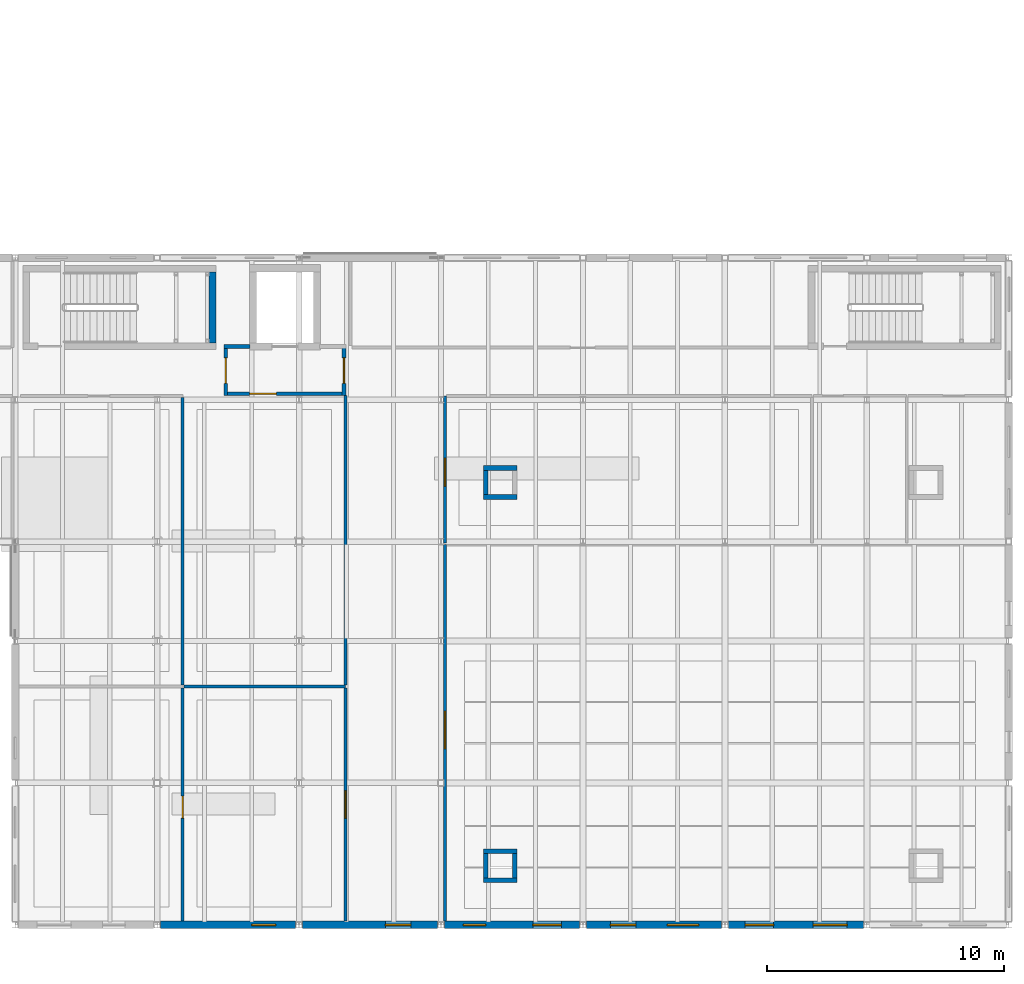
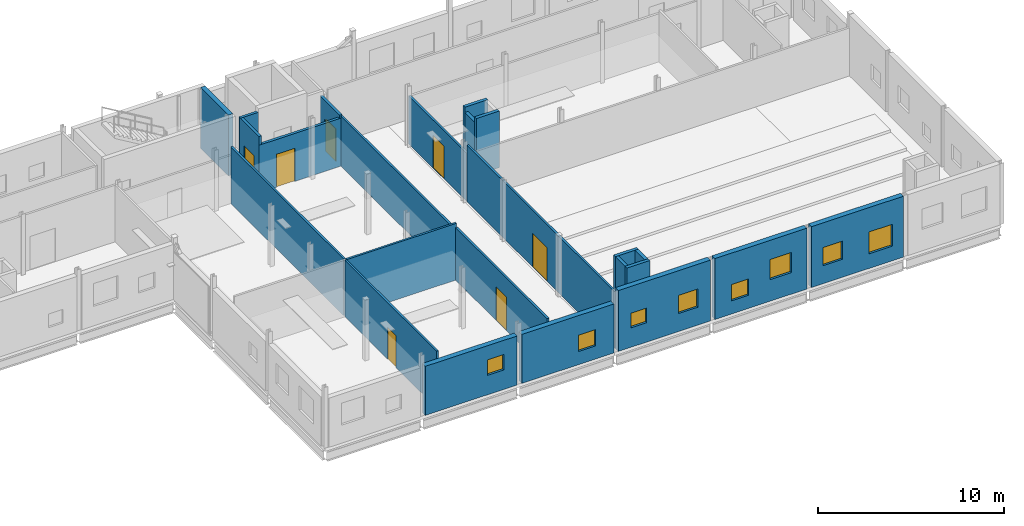
# One storey, part 74 of 92: 24 walls, 8 windows, 7 doors, 15 openings.
"""IFC4 building model written with IfcOpenShell, lengths in metres."""

from ifc_helpers import new_model, si_unit, direction, frame, frame_2d, origin, place, context, subcontext, project, spatial, rectangle, extrude, material, layer, layer_set, type_object, element, fill, save


model = new_model("IFC4")

# Units and contexts
model_context = context("Model", 3, precision=1e-05, world=origin(), true_north=direction((0.0, 1.0)))
body_context = subcontext(model_context, "Body", "Model", "MODEL_VIEW")
ifc_project = project(units=[si_unit("LENGTHUNIT", "METRE"), si_unit("AREAUNIT", "SQUARE_METRE"), si_unit("VOLUMEUNIT", "CUBIC_METRE"), si_unit("PLANEANGLEUNIT", "RADIAN"), si_unit("MASSUNIT", "GRAM", prefix="KILO")], contexts=[model_context])

# Site, building, storey
site_placement = place(None, origin())
site = spatial("IfcSite", under=ifc_project, at=site_placement, CompositionType="ELEMENT")
building_placement = place(site_placement, origin())
building = spatial("IfcBuilding", under=site, at=building_placement, Name="Siltcreek Boulevard Central Fire Station", CompositionType="ELEMENT")
storey_placement = place(building_placement, frame((0.0, 0.0, 6.0)))
storey = spatial("IfcBuildingStorey", under=building, at=storey_placement, Name="L02", CompositionType="ELEMENT", Elevation=6.0)

# Wall
ifc_material_1 = material(Name="Concrete C40/50", Category="concrete")
ifc_layer_1 = layer(ifc_material_1, 0.280029296875, Name="Concrete C40/50")
ifc_layer_set_1 = layer_set([ifc_layer_1], Name="Concrete C40/50")
wall_type_1 = type_object("IfcWallType", Name="CW_SHEAR280", PredefinedType="SHEAR", material=ifc_layer_set_1)
wall_1_placement = place(storey_placement, frame((132.5400390625, 26.39990234375, 0.0), z_axis=(0.0, 0.0, 1.0), x_axis=(0.0, 1.0, 0.0)))
element("IfcWall", 1, at=wall_1_placement, inside=storey, type_object=wall_type_1, Name="L02 ST-V6A stair enclosure east shear wall", PredefinedType="SHEAR", context=body_context, shape_type="SweptSolid", body=[
    extrude(rectangle(XDim=3.0, YDim=0.280029296875, at=frame_2d((1.5, 0.0))), origin(), (0.0, 0.0, 1.0), 4.0),
])

# Wall, opening, window
ifc_material_2 = material(Name="White ribbed aluminum insulated rainscreen panel", Category="aluminium")
ifc_layer_2 = layer(ifc_material_2, 0.320068359375, Name="White ribbed aluminum insulated rainscreen panel")
ifc_layer_set_2 = layer_set([ifc_layer_2], Name="White ribbed aluminum insulated rainscreen panel")
wall_type_2 = type_object("IfcWallType", Name="EW_METAL320", PredefinedType="STANDARD", material=ifc_layer_set_2)
wall_2_placement = place(storey_placement, frame((130.344970703125, 1.800048828125, 0.0), z_axis=(0.0, 0.0, 1.0), x_axis=(1.0, 0.0, 0.0)))
wall_2 = element("IfcWall", 2, at=wall_2_placement, inside=storey, type_object=wall_type_2, Name="L02 V6 exterior insulated rainscreen wall WL-EXT-L02-0458", PredefinedType="STANDARD", context=body_context, shape_type="SweptSolid", body=[
    extrude(rectangle(XDim=5.7099609375, YDim=0.320068359375, at=frame_2d((2.85498046875, 0.0))), origin(), (0.0, 0.0, 1.0), 3.222900390625),
])
opening_1_placement = place(wall_2_placement, frame((3.855224609375, 0.0, 1.280029296875)))
opening_1 = element("IfcOpeningElement", 3, at=opening_1_placement, cuts=wall_2, Name="Opening WN38", PredefinedType="OPENING", context=body_context, shape_type="SweptSolid", body=[
    extrude(rectangle(XDim=1.02001953125, YDim=1.02001953125, at=frame_2d((0.510009765625, 0.510009765625))), frame((0.0, 0.169921875, 0.0), z_axis=(0.0, -1.0, 0.0), x_axis=(1.0, 0.0, 0.0)), (0.0, 0.0, 1.0), 0.340087890625),
])
ifc_material_3 = material(Name="Thermally broken aluminum frame with low-E insulated glass", Category="aluminium")
window_type_1 = type_object("IfcWindowType", Name="WN_SQ_102X102", PartitioningType="SINGLE_PANEL", PredefinedType="WINDOW", material=ifc_material_3)
window_1_placement = place(opening_1_placement, origin())
window_1 = element("IfcWindow", 4, at=window_1_placement, inside=storey, type_object=window_type_1, Name="L02 V6 square exterior window WN-0178", OverallHeight=1.02001953125, OverallWidth=1.02001953125, PartitioningType="SINGLE_PANEL", PredefinedType="WINDOW", context=body_context, shape_type="SweptSolid", body=[
    extrude(rectangle(XDim=1.02001953125, YDim=1.02001953125, at=frame_2d((0.510009765625, 0.510009765625))), frame((0.0, 0.030029296875, 0.0), z_axis=(0.0, -1.0, 0.0), x_axis=(1.0, 0.0, 0.0)), (0.0, 0.0, 1.0), 0.06005859375),
])
fill(opening_1, window_1)

wall_3_placement = place(storey_placement, frame((136.344970703125, 1.800048828125, 0.0), z_axis=(0.0, 0.0, 1.0), x_axis=(1.0, 0.0, 0.0)))
wall_3 = element("IfcWall", 5, at=wall_3_placement, inside=storey, type_object=wall_type_2, Name="L02 V6 exterior insulated rainscreen wall WL-EXT-L02-0459", PredefinedType="STANDARD", context=body_context, shape_type="SweptSolid", body=[
    extrude(rectangle(XDim=5.7099609375, YDim=0.320068359375, at=frame_2d((2.85498046875, 0.0))), origin(), (0.0, 0.0, 1.0), 3.222900390625),
])
opening_2_placement = place(wall_3_placement, frame((3.50439453125, 0.0, 0.860107421875)))
opening_2 = element("IfcOpeningElement", 6, at=opening_2_placement, cuts=wall_3, Name="Opening WN05", PredefinedType="OPENING", context=body_context, shape_type="SweptSolid", body=[
    extrude(rectangle(XDim=1.080078125, YDim=1.080078125, at=frame_2d((0.5400390625, 0.5400390625))), frame((0.0, 0.169921875, 0.0), z_axis=(0.0, -1.0, 0.0), x_axis=(1.0, 0.0, 0.0)), (0.0, 0.0, 1.0), 0.340087890625),
])
window_type_2 = type_object("IfcWindowType", Name="WN_SQ_108X108", PartitioningType="SINGLE_PANEL", PredefinedType="WINDOW", material=ifc_material_3)
window_2_placement = place(opening_2_placement, origin())
window_2 = element("IfcWindow", 7, at=window_2_placement, inside=storey, type_object=window_type_2, Name="L02 V6 square exterior window WN-0179", OverallHeight=1.080078125, OverallWidth=1.080078125, PartitioningType="SINGLE_PANEL", PredefinedType="WINDOW", context=body_context, shape_type="SweptSolid", body=[
    extrude(rectangle(XDim=1.080078125, YDim=1.080078125, at=frame_2d((0.5400390625, 0.5400390625))), frame((0.0, 0.030029296875, 0.0), z_axis=(0.0, -1.0, 0.0), x_axis=(1.0, 0.0, 0.0)), (0.0, 0.0, 1.0), 0.06005859375),
])
fill(opening_2, window_2)

# Wall, openings, windows
wall_4_placement = place(storey_placement, frame((142.344970703125, 1.800048828125, 0.0), z_axis=(0.0, 0.0, 1.0), x_axis=(1.0, 0.0, 0.0)))
wall_4 = element("IfcWall", 8, at=wall_4_placement, inside=storey, type_object=wall_type_2, Name="L02 V6 exterior insulated rainscreen wall WL-EXT-L02-0460", PredefinedType="STANDARD", context=body_context, shape_type="SweptSolid", body=[
    extrude(rectangle(XDim=5.7099609375, YDim=0.320068359375, at=frame_2d((2.85498046875, 0.0))), origin(), (0.0, 0.0, 1.0), 4.0),
])
opening_3_placement = place(wall_4_placement, frame((0.7958984375, 0.0, 1.280029296875)))
opening_3 = element("IfcOpeningElement", 9, at=opening_3_placement, cuts=wall_4, Name="Opening WN06", PredefinedType="OPENING", context=body_context, shape_type="SweptSolid", body=[
    extrude(rectangle(XDim=0.9599609375, YDim=0.9599609375, at=frame_2d((0.47998046875, 0.47998046875))), frame((0.0, 0.169921875, 0.0), z_axis=(0.0, -1.0, 0.0), x_axis=(1.0, 0.0, 0.0)), (0.0, 0.0, 1.0), 0.340087890625),
])
opening_4_placement = place(wall_4_placement, frame((3.73828125, 0.0, 1.179931640625)))
opening_4 = element("IfcOpeningElement", 10, at=opening_4_placement, cuts=wall_4, Name="Opening WN01", PredefinedType="OPENING", context=body_context, shape_type="SweptSolid", body=[
    extrude(rectangle(XDim=1.199951171875, YDim=1.199951171875, at=frame_2d((0.60009765625, 0.60009765625))), frame((0.0, 0.169921875, 0.0), z_axis=(0.0, -1.0, 0.0), x_axis=(1.0, 0.0, 0.0)), (0.0, 0.0, 1.0), 0.340087890625),
])
window_type_3 = type_object("IfcWindowType", Name="WN_SQ_096X096", PartitioningType="SINGLE_PANEL", PredefinedType="WINDOW", material=ifc_material_3)
window_3_placement = place(opening_3_placement, origin())
window_3 = element("IfcWindow", 11, at=window_3_placement, inside=storey, type_object=window_type_3, Name="L02 V6 square exterior window WN-0180", OverallHeight=0.9599609375, OverallWidth=0.9599609375, PartitioningType="SINGLE_PANEL", PredefinedType="WINDOW", context=body_context, shape_type="SweptSolid", body=[
    extrude(rectangle(XDim=0.9599609375, YDim=0.9599609375, at=frame_2d((0.47998046875, 0.47998046875))), frame((0.0, 0.030029296875, 0.0), z_axis=(0.0, -1.0, 0.0), x_axis=(1.0, 0.0, 0.0)), (0.0, 0.0, 1.0), 0.06005859375),
])
fill(opening_3, window_3)
window_type_4 = type_object("IfcWindowType", Name="WN_SQ_120X120", PartitioningType="SINGLE_PANEL", PredefinedType="WINDOW", material=ifc_material_3)
window_4_placement = place(opening_4_placement, origin())
window_4 = element("IfcWindow", 12, at=window_4_placement, inside=storey, type_object=window_type_4, Name="L02 V6 square exterior window WN-0181", OverallHeight=1.199951171875, OverallWidth=1.199951171875, PartitioningType="SINGLE_PANEL", PredefinedType="WINDOW", context=body_context, shape_type="SweptSolid", body=[
    extrude(rectangle(XDim=1.199951171875, YDim=1.199951171875, at=frame_2d((0.60009765625, 0.60009765625))), frame((0.0, 0.030029296875, 0.0), z_axis=(0.0, -1.0, 0.0), x_axis=(1.0, 0.0, 0.0)), (0.0, 0.0, 1.0), 0.06005859375),
])
fill(opening_4, window_4)

wall_5_placement = place(storey_placement, frame((148.344970703125, 1.800048828125, 0.0), z_axis=(0.0, 0.0, 1.0), x_axis=(1.0, 0.0, 0.0)))
wall_5 = element("IfcWall", 13, at=wall_5_placement, inside=storey, type_object=wall_type_2, Name="L02 V6 exterior insulated rainscreen wall WL-EXT-L02-0461", PredefinedType="STANDARD", context=body_context, shape_type="SweptSolid", body=[
    extrude(rectangle(XDim=5.7099609375, YDim=0.320068359375, at=frame_2d((2.85498046875, 0.0))), origin(), (0.0, 0.0, 1.0), 4.0),
])
opening_5_placement = place(wall_5_placement, frame((1.014404296875, 0.0, 0.860107421875)))
opening_5 = element("IfcOpeningElement", 14, at=opening_5_placement, cuts=wall_5, Name="Opening WN05", PredefinedType="OPENING", context=body_context, shape_type="SweptSolid", body=[
    extrude(rectangle(XDim=1.080078125, YDim=1.080078125, at=frame_2d((0.5400390625, 0.5400390625))), frame((0.0, 0.169921875, 0.0), z_axis=(0.0, -1.0, 0.0), x_axis=(1.0, 0.0, 0.0)), (0.0, 0.0, 1.0), 0.340087890625),
])
opening_6_placement = place(wall_5_placement, frame((3.42041015625, 0.0, 1.419921875)))
opening_6 = element("IfcOpeningElement", 15, at=opening_6_placement, cuts=wall_5, Name="Opening WN02", PredefinedType="OPENING", context=body_context, shape_type="SweptSolid", body=[
    extrude(rectangle(XDim=1.320068359375, YDim=1.320068359375, at=frame_2d((0.66015625, 0.66015625))), frame((0.0, 0.169921875, 0.0), z_axis=(0.0, -1.0, 0.0), x_axis=(1.0, 0.0, 0.0)), (0.0, 0.0, 1.0), 0.340087890625),
])
window_5_placement = place(opening_5_placement, origin())
window_5 = element("IfcWindow", 16, at=window_5_placement, inside=storey, type_object=window_type_2, Name="L02 V6 square exterior window WN-0182", OverallHeight=1.080078125, OverallWidth=1.080078125, PartitioningType="SINGLE_PANEL", PredefinedType="WINDOW", context=body_context, shape_type="SweptSolid", body=[
    extrude(rectangle(XDim=1.080078125, YDim=1.080078125, at=frame_2d((0.5400390625, 0.5400390625))), frame((0.0, 0.030029296875, 0.0), z_axis=(0.0, -1.0, 0.0), x_axis=(1.0, 0.0, 0.0)), (0.0, 0.0, 1.0), 0.06005859375),
])
fill(opening_5, window_5)
window_type_5 = type_object("IfcWindowType", Name="WN_SQ_132X132", PartitioningType="SINGLE_PANEL", PredefinedType="WINDOW", material=ifc_material_3)
window_6_placement = place(opening_6_placement, origin())
window_6 = element("IfcWindow", 17, at=window_6_placement, inside=storey, type_object=window_type_5, Name="L02 V6 square exterior window WN-0183", OverallHeight=1.320068359375, OverallWidth=1.320068359375, PartitioningType="SINGLE_PANEL", PredefinedType="WINDOW", context=body_context, shape_type="SweptSolid", body=[
    extrude(rectangle(XDim=1.320068359375, YDim=1.320068359375, at=frame_2d((0.66015625, 0.66015625))), frame((0.0, 0.030029296875, 0.0), z_axis=(0.0, -1.0, 0.0), x_axis=(1.0, 0.0, 0.0)), (0.0, 0.0, 1.0), 0.06005859375),
])
fill(opening_6, window_6)

wall_6_placement = place(storey_placement, frame((154.344970703125, 1.800048828125, 0.0), z_axis=(0.0, 0.0, 1.0), x_axis=(1.0, 0.0, 0.0)))
wall_6 = element("IfcWall", 18, at=wall_6_placement, inside=storey, type_object=wall_type_2, Name="L02 V6 exterior insulated rainscreen wall WL-EXT-L02-0462", PredefinedType="STANDARD", context=body_context, shape_type="SweptSolid", body=[
    extrude(rectangle(XDim=5.7099609375, YDim=0.320068359375, at=frame_2d((2.85498046875, 0.0))), origin(), (0.0, 0.0, 1.0), 4.0),
])
opening_7_placement = place(wall_6_placement, frame((0.7119140625, 0.0, 1.179931640625)))
opening_7 = element("IfcOpeningElement", 19, at=opening_7_placement, cuts=wall_6, Name="Opening WN01", PredefinedType="OPENING", context=body_context, shape_type="SweptSolid", body=[
    extrude(rectangle(XDim=1.199951171875, YDim=1.199951171875, at=frame_2d((0.60009765625, 0.60009765625))), frame((0.0, 0.169921875, 0.0), z_axis=(0.0, -1.0, 0.0), x_axis=(1.0, 0.0, 0.0)), (0.0, 0.0, 1.0), 0.340087890625),
])
opening_8_placement = place(wall_6_placement, frame((3.582275390625, 0.0, 0.9599609375)))
opening_8 = element("IfcOpeningElement", 20, at=opening_8_placement, cuts=wall_6, Name="Opening WN03", PredefinedType="OPENING", context=body_context, shape_type="SweptSolid", body=[
    extrude(rectangle(XDim=1.43994140625, YDim=1.43994140625, at=frame_2d((0.719970703125, 0.719970703125))), frame((0.0, 0.169921875, 0.0), z_axis=(0.0, -1.0, 0.0), x_axis=(1.0, 0.0, 0.0)), (0.0, 0.0, 1.0), 0.340087890625),
])
window_7_placement = place(opening_7_placement, origin())
window_7 = element("IfcWindow", 21, at=window_7_placement, inside=storey, type_object=window_type_4, Name="L02 V6 square exterior window WN-0184", OverallHeight=1.199951171875, OverallWidth=1.199951171875, PartitioningType="SINGLE_PANEL", PredefinedType="WINDOW", context=body_context, shape_type="SweptSolid", body=[
    extrude(rectangle(XDim=1.199951171875, YDim=1.199951171875, at=frame_2d((0.60009765625, 0.60009765625))), frame((0.0, 0.030029296875, 0.0), z_axis=(0.0, -1.0, 0.0), x_axis=(1.0, 0.0, 0.0)), (0.0, 0.0, 1.0), 0.06005859375),
])
fill(opening_7, window_7)
window_type_6 = type_object("IfcWindowType", Name="WN_SQ_144X144", PartitioningType="SINGLE_PANEL", PredefinedType="WINDOW", material=ifc_material_3)
window_8_placement = place(opening_8_placement, origin())
window_8 = element("IfcWindow", 22, at=window_8_placement, inside=storey, type_object=window_type_6, Name="L02 V6 square exterior window WN-0185", OverallHeight=1.43994140625, OverallWidth=1.43994140625, PartitioningType="SINGLE_PANEL", PredefinedType="WINDOW", context=body_context, shape_type="SweptSolid", body=[
    extrude(rectangle(XDim=1.43994140625, YDim=1.43994140625, at=frame_2d((0.719970703125, 0.719970703125))), frame((0.0, 0.030029296875, 0.0), z_axis=(0.0, -1.0, 0.0), x_axis=(1.0, 0.0, 0.0)), (0.0, 0.0, 1.0), 0.06005859375),
])
fill(opening_8, window_8)

# Walls
ifc_material_4 = material(Name="Fire-rated concrete masonry and gypsum barrier", Category="masonry")
ifc_layer_3 = layer(ifc_material_4, 0.199951171875, Name="Fire-rated concrete masonry and gypsum barrier")
ifc_layer_set_3 = layer_set([ifc_layer_3], Name="Fire-rated concrete masonry and gypsum barrier")
wall_type_3 = type_object("IfcWallType", Name="IW_FIRE200", PredefinedType="PARTITIONING", material=ifc_layer_set_3)
wall_7_placement = place(storey_placement, frame((143.985107421875, 3.68505859375, 0.0), z_axis=(0.0, 0.0, 1.0), x_axis=(1.0, 0.0, 0.0)))
element("IfcWall", 23, at=wall_7_placement, inside=storey, type_object=wall_type_3, Name="L02 enclosed MEP service riser wall 020-S", PredefinedType="PARTITIONING", context=body_context, shape_type="SweptSolid", body=[
    extrude(rectangle(XDim=1.429931640625, YDim=0.199951171875, at=frame_2d((0.71484375, 0.0))), origin(), (0.0, 0.0, 1.0), 3.719970703125),
])
wall_8_placement = place(storey_placement, frame((145.31494140625, 3.784912109375, 0.0), z_axis=(0.0, 0.0, 1.0), x_axis=(0.0, 1.0, 0.0)))
element("IfcWall", 24, at=wall_8_placement, inside=storey, type_object=wall_type_3, Name="L02 enclosed MEP service riser wall 020-E", PredefinedType="PARTITIONING", context=body_context, shape_type="SweptSolid", body=[
    extrude(rectangle(XDim=1.030029296875, YDim=0.199951171875, at=frame_2d((0.51513671875, 0.0))), origin(), (0.0, 0.0, 1.0), 3.719970703125),
])
wall_9_placement = place(storey_placement, frame((145.4150390625, 4.9150390625, 0.0), z_axis=(0.0, 0.0, 1.0), x_axis=(-1.0, 0.0, 0.0)))
element("IfcWall", 25, at=wall_9_placement, inside=storey, type_object=wall_type_3, Name="L02 enclosed MEP service riser wall 020-N", PredefinedType="PARTITIONING", context=body_context, shape_type="SweptSolid", body=[
    extrude(rectangle(XDim=1.429931640625, YDim=0.199951171875, at=frame_2d((0.71484375, 0.0))), origin(), (0.0, 0.0, 1.0), 3.719970703125),
])
wall_10_placement = place(storey_placement, frame((144.0849609375, 4.81494140625, 0.0), z_axis=(0.0, 0.0, 1.0), x_axis=(0.0, -1.0, 0.0)))
element("IfcWall", 26, at=wall_10_placement, inside=storey, type_object=wall_type_3, Name="L02 enclosed MEP service riser wall 020-W", PredefinedType="PARTITIONING", context=body_context, shape_type="SweptSolid", body=[
    extrude(rectangle(XDim=1.030029296875, YDim=0.199951171875, at=frame_2d((0.51513671875, 0.0))), origin(), (0.0, 0.0, 1.0), 3.719970703125),
])
for number, where, z_axis, x_axis, name in (
    (27, (143.985107421875, 19.885009765625, 0.0), (0.0, 0.0, 1.0), (1.0, 0.0, 0.0), "L02 enclosed MEP service riser wall 021-S"),
    (28, (145.4150390625, 21.114990234375, 0.0), (0.0, 0.0, 1.0), (-1.0, 0.0, 0.0), "L02 enclosed MEP service riser wall 021-N"),
):
    element("IfcWall", number, at=place(storey_placement, frame(where, z_axis=z_axis, x_axis=x_axis)), inside=storey, type_object=wall_type_3, Name=name, PredefinedType="PARTITIONING", context=body_context, shape_type="SweptSolid", body=[
        extrude(rectangle(XDim=1.429931640625, YDim=0.199951171875, at=frame_2d((0.71484375, 0.0))), origin(), (0.0, 0.0, 1.0), 3.719970703125),
    ])
wall_11_placement = place(storey_placement, frame((144.0849609375, 21.014892578125, 0.0), z_axis=(0.0, 0.0, 1.0), x_axis=(0.0, -1.0, 0.0)))
element("IfcWall", 29, at=wall_11_placement, inside=storey, type_object=wall_type_3, Name="L02 enclosed MEP service riser wall 021-W", PredefinedType="PARTITIONING", context=body_context, shape_type="SweptSolid", body=[
    extrude(rectangle(XDim=1.02978515625, YDim=0.199951171875, at=frame_2d((0.514892578125, 0.0))), origin(), (0.0, 0.0, 1.0), 3.37890625),
])

# Wall, opening, door
ifc_material_5 = material(Name="Interior steel stud gypsum partition", Category="steel")
ifc_layer_4 = layer(ifc_material_5, 0.125, Name="Interior steel stud gypsum partition")
ifc_layer_set_4 = layer_set([ifc_layer_4], Name="Interior steel stud gypsum partition")
wall_type_4 = type_object("IfcWallType", Name="IW_PART125", PredefinedType="PARTITIONING", material=ifc_layer_set_4)
wall_12_placement = place(storey_placement, frame((142.3701171875, 1.9599609375, 0.0), z_axis=(0.0, 0.0, 1.0), x_axis=(0.0, 1.0, 0.0)))
wall_12 = element("IfcWall", 30, at=wall_12_placement, inside=storey, type_object=wall_type_4, Name="L02 Lecture Theatre partition 0186", PredefinedType="PARTITIONING", context=body_context, shape_type="SweptSolid", body=[
    extrude(rectangle(XDim=15.922607421875, YDim=0.125, at=frame_2d((7.96142578125, 0.0))), origin(), (0.0, 0.0, 1.0), 3.719970703125),
])
opening_9_placement = place(wall_12_placement, frame((7.282470703125, 0.0, 0.0)))
opening_9 = element("IfcOpeningElement", 31, at=opening_9_placement, cuts=wall_12, Name="Opening AD02", PredefinedType="OPENING", context=body_context, shape_type="SweptSolid", body=[
    extrude(rectangle(XDim=1.580078125, YDim=2.199951171875, at=frame_2d((0.7900390625, 1.10009765625))), frame((0.0, 0.072509765625, 0.0), z_axis=(0.0, -1.0, 0.0), x_axis=(1.0, 0.0, 0.0)), (0.0, 0.0, 1.0), 0.14501953125),
])
ifc_material_6 = material(Name="Glazed acoustic assembly hall double door")
door_type_1 = type_object("IfcDoorType", Name="DR_HAL_158X220", OperationType="NOTDEFINED", PredefinedType="DOOR", material=ifc_material_6)
door_1_placement = place(opening_9_placement, origin())
door_1 = element("IfcDoor", 32, at=door_1_placement, inside=storey, type_object=door_type_1, Name="L02 Lecture Theatre door ID-0084", OperationType="DOUBLE_DOOR_SINGLE_SWING", OverallHeight=2.199951171875, OverallWidth=1.580078125, PredefinedType="DOOR", context=body_context, shape_type="SweptSolid", body=[
    extrude(rectangle(XDim=1.580078125, YDim=2.199951171875, at=frame_2d((0.7900390625, 1.10009765625))), frame((0.0, 0.02490234375, 0.0), z_axis=(0.0, -1.0, 0.0), x_axis=(1.0, 0.0, 0.0)), (0.0, 0.0, 1.0), 0.050048828125),
])
fill(opening_9, door_1)

wall_13_placement = place(storey_placement, frame((131.280029296875, 11.8173828125, 0.0), z_axis=(0.0, 0.0, 1.0), x_axis=(0.0, -1.0, 0.0)))
wall_13 = element("IfcWall", 33, at=wall_13_placement, inside=storey, type_object=wall_type_4, Name="L02 Training Classroom 201 partition 0189", PredefinedType="PARTITIONING", context=body_context, shape_type="SweptSolid", body=[
    extrude(rectangle(XDim=9.857421875, YDim=0.125, at=frame_2d((4.9287109375, 0.0))), origin(), (0.0, 0.0, 1.0), 3.719970703125),
])
opening_10_placement = place(wall_13_placement, frame((4.57421875, 0.0, 0.0)))
opening_10 = element("IfcOpeningElement", 34, at=opening_10_placement, cuts=wall_13, Name="Opening ID03", PredefinedType="OPENING", context=body_context, shape_type="SweptSolid", body=[
    extrude(rectangle(XDim=0.929931640625, YDim=2.10009765625, at=frame_2d((0.46484375, 1.050048828125))), frame((0.0, 0.072509765625, 0.0), z_axis=(0.0, -1.0, 0.0), x_axis=(1.0, 0.0, 0.0)), (0.0, 0.0, 1.0), 0.14501953125),
])
ifc_material_7 = material(Name="Solid-core timber station office door", Category="wood")
door_type_2 = type_object("IfcDoorType", Name="DR_OFF_093X210", OperationType="NOTDEFINED", PredefinedType="DOOR", material=ifc_material_7)
door_2_placement = place(opening_10_placement, frame((0.929931640625, 0.0, 0.0), z_axis=(0.0, 0.0, 1.0), x_axis=(-1.0, 0.0, 0.0)))
door_2 = element("IfcDoor", 35, at=door_2_placement, inside=storey, type_object=door_type_2, Name="L02 Training Classroom 201 door ID-0085", OperationType="SINGLE_SWING_RIGHT", OverallHeight=2.10009765625, OverallWidth=0.929931640625, PredefinedType="DOOR", context=body_context, shape_type="SweptSolid", body=[
    extrude(rectangle(XDim=0.929931640625, YDim=2.10009765625, at=frame_2d((0.46484375, 1.050048828125))), frame((0.0, 0.02490234375, 0.0), z_axis=(0.0, -1.0, 0.0), x_axis=(1.0, 0.0, 0.0)), (0.0, 0.0, 1.0), 0.050048828125),
])
fill(opening_10, door_2)

# Wall
wall_14_placement = place(storey_placement, frame((131.342529296875, 11.8798828125, 0.0), z_axis=(0.0, 0.0, 1.0), x_axis=(1.0, 0.0, 0.0)))
element("IfcWall", 36, at=wall_14_placement, inside=storey, type_object=wall_type_4, Name="L02 Training Classroom 202 partition 0190", PredefinedType="PARTITIONING", context=body_context, shape_type="SweptSolid", body=[
    extrude(rectangle(XDim=6.820068359375, YDim=0.125, at=frame_2d((3.41015625, 0.0))), origin(), (0.0, 0.0, 1.0), 3.719970703125),
])

# Wall, opening, door
wall_15_placement = place(storey_placement, frame((138.159912109375, 11.8173828125, 0.0), z_axis=(0.0, 0.0, 1.0), x_axis=(0.0, -1.0, 0.0)))
wall_15 = element("IfcWall", 37, at=wall_15_placement, inside=storey, type_object=wall_type_4, Name="L02 Training Classroom 202 partition 0191", PredefinedType="PARTITIONING", context=body_context, shape_type="SweptSolid", body=[
    extrude(rectangle(XDim=9.857421875, YDim=0.125, at=frame_2d((4.9287109375, 0.0))), origin(), (0.0, 0.0, 1.0), 3.448974609375),
])
opening_11_placement = place(wall_15_placement, frame((4.348876953125, 0.0, 0.0)))
opening_11 = element("IfcOpeningElement", 38, at=opening_11_placement, cuts=wall_15, Name="Opening ID06", PredefinedType="OPENING", context=body_context, shape_type="SweptSolid", body=[
    extrude(rectangle(XDim=1.159912109375, YDim=2.199951171875, at=frame_2d((0.580078125, 1.10009765625))), frame((0.0, 0.072509765625, 0.0), z_axis=(0.0, -1.0, 0.0), x_axis=(1.0, 0.0, 0.0)), (0.0, 0.0, 1.0), 0.14501953125),
])
ifc_material_8 = material(Name="Glazed simulation laboratory door")
door_type_3 = type_object("IfcDoorType", Name="DR_LAB_116X220", OperationType="NOTDEFINED", PredefinedType="DOOR", material=ifc_material_8)
door_3_placement = place(opening_11_placement, frame((1.159912109375, 0.0, 0.0), z_axis=(0.0, 0.0, 1.0), x_axis=(-1.0, 0.0, 0.0)))
door_3 = element("IfcDoor", 39, at=door_3_placement, inside=storey, type_object=door_type_3, Name="L02 Training Classroom 202 door ID-0086", OperationType="SINGLE_SWING_LEFT", OverallHeight=2.199951171875, OverallWidth=1.159912109375, PredefinedType="DOOR", context=body_context, shape_type="SweptSolid", body=[
    extrude(rectangle(XDim=1.159912109375, YDim=2.199951171875, at=frame_2d((0.580078125, 1.10009765625))), frame((0.0, 0.02490234375, 0.0), z_axis=(0.0, -1.0, 0.0), x_axis=(1.0, 0.0, 0.0)), (0.0, 0.0, 1.0), 0.050048828125),
])
fill(opening_11, door_3)

# Walls
wall_16_placement = place(storey_placement, frame((131.280029296875, 24.097412109375, 0.0), z_axis=(0.0, 0.0, 1.0), x_axis=(0.0, -1.0, 0.0)))
element("IfcWall", 40, at=wall_16_placement, inside=storey, type_object=wall_type_4, Name="L02 Training Classroom 203 partition 0193", PredefinedType="PARTITIONING", context=body_context, shape_type="SweptSolid", body=[
    extrude(rectangle(XDim=12.155029296875, YDim=0.125, at=frame_2d((6.07763671875, 0.0))), origin(), (0.0, 0.0, 1.0), 3.719970703125),
])
wall_17_placement = place(storey_placement, frame((138.159912109375, 24.16748046875, 0.0), z_axis=(0.0, 0.0, 1.0), x_axis=(0.0, -1.0, 0.0)))
element("IfcWall", 41, at=wall_17_placement, inside=storey, type_object=wall_type_4, Name="L02 Training Classroom 204 partition 0194", PredefinedType="PARTITIONING", context=body_context, shape_type="SweptSolid", body=[
    extrude(rectangle(XDim=12.22509765625, YDim=0.125, at=frame_2d((6.112548828125, 0.0))), origin(), (0.0, 0.0, 1.0), 3.2890625),
])

# Wall, opening, door
wall_18_placement = place(storey_placement, frame((142.3701171875, 17.9423828125, 0.0), z_axis=(0.0, 0.0, 1.0), x_axis=(0.0, 1.0, 0.0)))
wall_18 = element("IfcWall", 42, at=wall_18_placement, inside=storey, type_object=wall_type_4, Name="L02 Training Classroom 205 partition 0195", PredefinedType="PARTITIONING", context=body_context, shape_type="SweptSolid", body=[
    extrude(rectangle(XDim=6.22021484375, YDim=0.125, at=frame_2d((3.110107421875, 0.0))), origin(), (0.0, 0.0, 1.0), 3.156982421875),
])
opening_12_placement = place(wall_18_placement, frame((2.40771484375, 0.0, 0.0)))
opening_12 = element("IfcOpeningElement", 43, at=opening_12_placement, cuts=wall_18, Name="Opening ID13", PredefinedType="OPENING", context=body_context, shape_type="SweptSolid", body=[
    extrude(rectangle(XDim=1.179931640625, YDim=2.159912109375, at=frame_2d((0.58984375, 1.080078125))), frame((0.0, 0.072509765625, 0.0), z_axis=(0.0, -1.0, 0.0), x_axis=(1.0, 0.0, 0.0)), (0.0, 0.0, 1.0), 0.14501953125),
])
ifc_material_9 = material(Name="Antimicrobial walk-in triage door")
door_type_4 = type_object("IfcDoorType", Name="DR_MED_118X216", OperationType="NOTDEFINED", PredefinedType="DOOR", material=ifc_material_9)
door_4_placement = place(opening_12_placement, frame((1.179931640625, 0.0, 0.0), z_axis=(0.0, 0.0, 1.0), x_axis=(-1.0, 0.0, 0.0)))
door_4 = element("IfcDoor", 44, at=door_4_placement, inside=storey, type_object=door_type_4, Name="L02 Training Classroom 205 door ID-0089", OperationType="SINGLE_SWING_RIGHT", OverallHeight=2.159912109375, OverallWidth=1.179931640625, PredefinedType="DOOR", context=body_context, shape_type="SweptSolid", body=[
    extrude(rectangle(XDim=1.179931640625, YDim=2.159912109375, at=frame_2d((0.58984375, 1.080078125))), frame((0.0, 0.02490234375, 0.0), z_axis=(0.0, -1.0, 0.0), x_axis=(1.0, 0.0, 0.0)), (0.0, 0.0, 1.0), 0.050048828125),
])
fill(opening_12, door_4)

ifc_material_10 = material(Name="Acoustic smoke-barrier steel stud gypsum wall", Category="steel")
ifc_layer_5 = layer(ifc_material_10, 0.1650390625, Name="Acoustic smoke-barrier steel stud gypsum wall")
ifc_layer_set_5 = layer_set([ifc_layer_5], Name="Acoustic smoke-barrier steel stud gypsum wall")
wall_type_5 = type_object("IfcWallType", Name="IW_SMK165", PredefinedType="PARTITIONING", material=ifc_layer_set_5)
wall_19_placement = place(storey_placement, frame((133.02001953125, 24.25, 0.0), z_axis=(0.0, 0.0, 1.0), x_axis=(1.0, 0.0, 0.0)))
wall_19 = element("IfcWall", 45, at=wall_19_placement, inside=storey, type_object=wall_type_5, Name="L02 EL-05 elevator lobby S smoke partition", PredefinedType="PARTITIONING", context=body_context, shape_type="SweptSolid", body=[
    extrude(rectangle(XDim=5.159912109375, YDim=0.1650390625, at=frame_2d((2.580078125, 0.0))), origin(), (0.0, 0.0, 1.0), 3.153076171875),
])
opening_13_placement = place(wall_19_placement, frame((1.08740234375, 0.0, 0.0)))
opening_13 = element("IfcOpeningElement", 46, at=opening_13_placement, cuts=wall_19, Name="Opening ID07", PredefinedType="OPENING", context=body_context, shape_type="SweptSolid", body=[
    extrude(rectangle(XDim=1.1298828125, YDim=2.179931640625, at=frame_2d((0.56494140625, 1.08984375))), frame((0.0, 0.092529296875, 0.0), z_axis=(0.0, -1.0, 0.0), x_axis=(1.0, 0.0, 0.0)), (0.0, 0.0, 1.0), 0.18505859375),
])
ifc_material_11 = material(Name="Galvanized steel drill training prop door", Category="steel")
door_type_5 = type_object("IfcDoorType", Name="DR_DRL_113X218", OperationType="NOTDEFINED", PredefinedType="DOOR", material=ifc_material_11)
door_5_placement = place(opening_13_placement, frame((1.1298828125, 0.0, 0.0), z_axis=(0.0, 0.0, 1.0), x_axis=(-1.0, 0.0, 0.0)))
door_5 = element("IfcDoor", 47, at=door_5_placement, inside=storey, type_object=door_type_5, Name="L02 Training Classroom 204 door ID-0088", OperationType="SINGLE_SWING_LEFT", OverallHeight=2.179931640625, OverallWidth=1.1298828125, PredefinedType="DOOR", context=body_context, shape_type="SweptSolid", body=[
    extrude(rectangle(XDim=1.1298828125, YDim=2.179931640625, at=frame_2d((0.56494140625, 1.08984375))), frame((0.0, 0.02490234375, 0.0), z_axis=(0.0, -1.0, 0.0), x_axis=(1.0, 0.0, 0.0)), (0.0, 0.0, 1.0), 0.050048828125),
])
fill(opening_13, door_5)

# Wall
wall_20_placement = place(storey_placement, frame((133.02001953125, 26.24755859375, 0.0), z_axis=(0.0, 0.0, 1.0), x_axis=(1.0, 0.0, 0.0)))
element("IfcWall", 48, at=wall_20_placement, inside=storey, type_object=wall_type_5, Name="L02 EL-05 elevator lobby NW smoke partition", PredefinedType="PARTITIONING", context=body_context, shape_type="SweptSolid", body=[
    extrude(rectangle(XDim=1.114990234375, YDim=0.1650390625, at=frame_2d((0.5576171875, 0.0))), origin(), (0.0, 0.0, 1.0), 3.719970703125),
])

# Wall, opening, door
wall_21_placement = place(storey_placement, frame((133.10009765625, 24.169921875, 0.0), z_axis=(0.0, 0.0, 1.0), x_axis=(0.0, 1.0, 0.0)))
wall_21 = element("IfcWall", 49, at=wall_21_placement, inside=storey, type_object=wall_type_5, Name="L02 EL-05 elevator lobby W smoke partition", PredefinedType="PARTITIONING", context=body_context, shape_type="SweptSolid", body=[
    extrude(rectangle(XDim=2.11767578125, YDim=0.1650390625, at=frame_2d((1.058837890625, 0.0))), origin(), (0.0, 0.0, 1.0), 3.719970703125),
])
opening_14_placement = place(wall_21_placement, frame((0.518798828125, 0.0, 0.0)))
opening_14 = element("IfcOpeningElement", 50, at=opening_14_placement, cuts=wall_21, Name="Opening DD01", PredefinedType="OPENING", context=body_context, shape_type="SweptSolid", body=[
    extrude(rectangle(XDim=1.080078125, YDim=2.139892578125, at=frame_2d((0.5400390625, 1.06982421875))), frame((0.0, 0.092529296875, 0.0), z_axis=(0.0, -1.0, 0.0), x_axis=(1.0, 0.0, 0.0)), (0.0, 0.0, 1.0), 0.18505859375),
])
ifc_material_12 = material(Name="Stainless steel positive-pressure decon airlock door", Category="steel")
door_type_6 = type_object("IfcDoorType", Name="DR_DEC_108X214", OperationType="NOTDEFINED", PredefinedType="DOOR", material=ifc_material_12)
door_6_placement = place(opening_14_placement, frame((1.080078125, 0.0, 0.0), z_axis=(0.0, 0.0, 1.0), x_axis=(-1.0, 0.0, 0.0)))
door_6 = element("IfcDoor", 51, at=door_6_placement, inside=storey, type_object=door_type_6, Name="L02 EL-05 elevator lobby W smoke door", OperationType="SINGLE_SWING_LEFT", OverallHeight=2.139892578125, OverallWidth=1.080078125, PredefinedType="DOOR", context=body_context, shape_type="SweptSolid", body=[
    extrude(rectangle(XDim=1.080078125, YDim=2.139892578125, at=frame_2d((0.5400390625, 1.06982421875))), frame((0.0, 0.02490234375, 0.0), z_axis=(0.0, -1.0, 0.0), x_axis=(1.0, 0.0, 0.0)), (0.0, 0.0, 1.0), 0.050048828125),
])
fill(opening_14, door_6)

wall_22_placement = place(storey_placement, frame((138.10009765625, 24.169921875, 0.0), z_axis=(0.0, 0.0, 1.0), x_axis=(0.0, 1.0, 0.0)))
wall_22 = element("IfcWall", 52, at=wall_22_placement, inside=storey, type_object=wall_type_5, Name="L02 EL-05 elevator lobby E smoke partition", PredefinedType="PARTITIONING", context=body_context, shape_type="SweptSolid", body=[
    extrude(rectangle(XDim=2.11767578125, YDim=0.1650390625, at=frame_2d((1.058837890625, 0.0))), origin(), (0.0, 0.0, 1.0), 3.37890625),
])
opening_15_placement = place(wall_22_placement, frame((0.518798828125, 0.0, 0.0)))
opening_15 = element("IfcOpeningElement", 53, at=opening_15_placement, cuts=wall_22, Name="Opening DD01", PredefinedType="OPENING", context=body_context, shape_type="SweptSolid", body=[
    extrude(rectangle(XDim=1.080078125, YDim=2.139892578125, at=frame_2d((0.5400390625, 1.06982421875))), frame((0.0, 0.092529296875, 0.0), z_axis=(0.0, -1.0, 0.0), x_axis=(1.0, 0.0, 0.0)), (0.0, 0.0, 1.0), 0.18505859375),
])
door_7_placement = place(opening_15_placement, origin())
door_7 = element("IfcDoor", 54, at=door_7_placement, inside=storey, type_object=door_type_6, Name="L02 EL-05 elevator lobby E smoke door", OperationType="SINGLE_SWING_RIGHT", OverallHeight=2.139892578125, OverallWidth=1.080078125, PredefinedType="DOOR", context=body_context, shape_type="SweptSolid", body=[
    extrude(rectangle(XDim=1.080078125, YDim=2.139892578125, at=frame_2d((0.5400390625, 1.06982421875))), frame((0.0, 0.02490234375, 0.0), z_axis=(0.0, -1.0, 0.0), x_axis=(1.0, 0.0, 0.0)), (0.0, 0.0, 1.0), 0.050048828125),
])
fill(opening_15, door_7)

save(model, "model.ifc")
